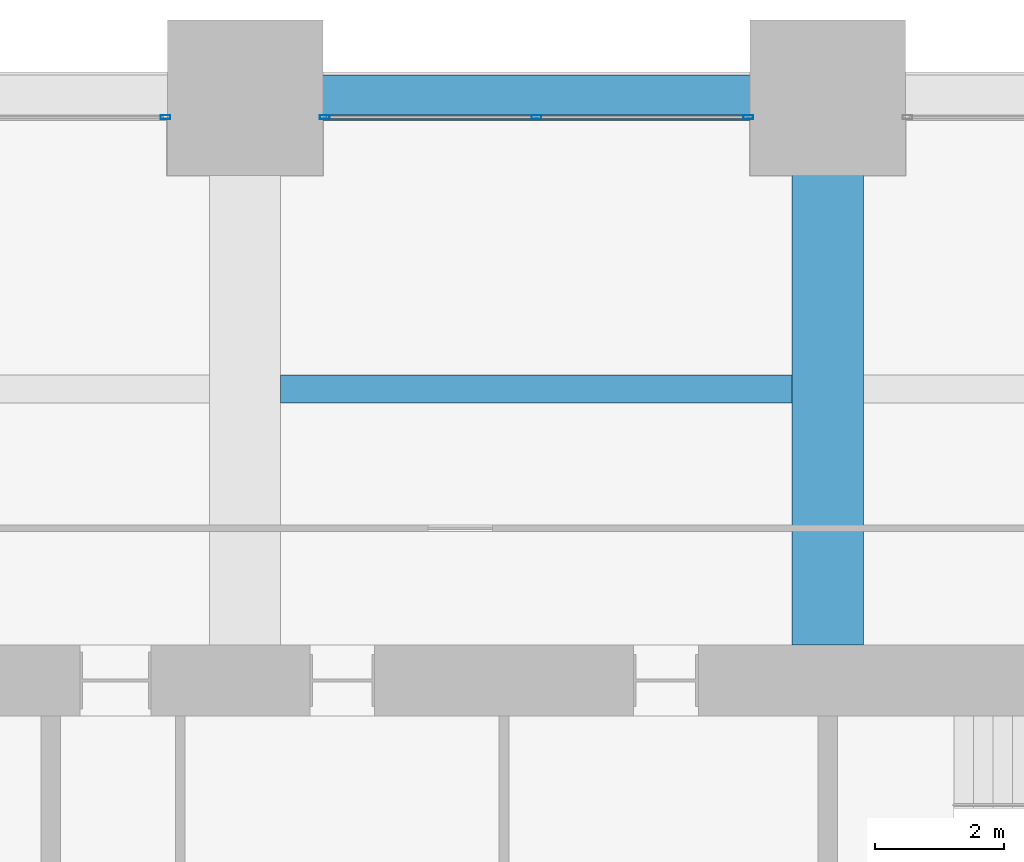
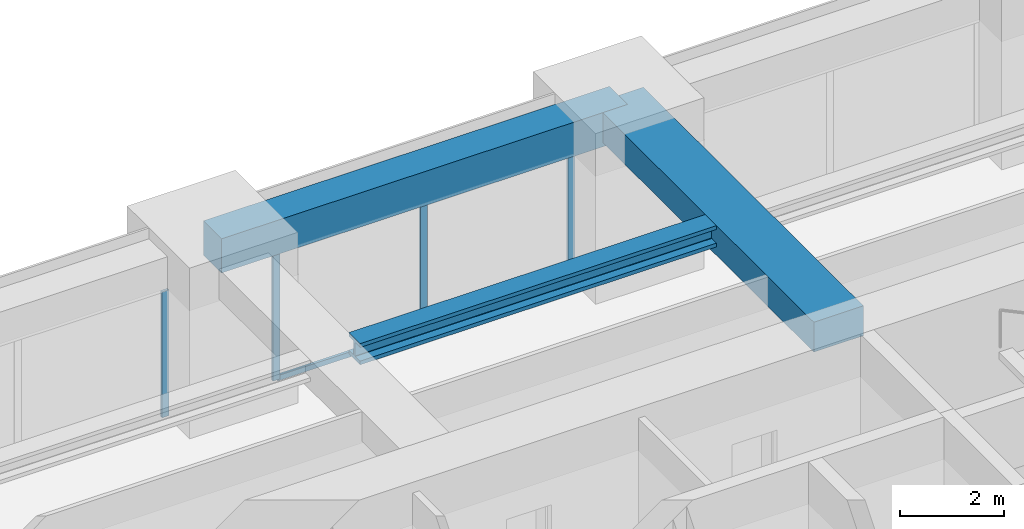
# One storey, part 25 of 32: 5 members, 3 beams, 2 elements without a shape of their own.
"""IFC4 building model written with IfcOpenShell, lengths in metres."""

import ifcopenshell
import ifcopenshell.guid

model = None  # the IFC model being written
_history = None  # IfcOwnerHistory: only IFC2X3 demands one
_inside = {}  # id of a spatial element -> (the spatial element, [elements in it])
_under = {}  # id of a project, library or spatial element -> (it, [spatial elements below it])
_declared = {}  # id of a project -> (the project, [libraries it declares])
_typed = {}  # id of a type object -> (the type object, [elements of that type])
_made_of = {}  # id of a material, layer set ... -> (it, [elements and type objects made of it])


def new_model(schema):
    """Start an empty IFC model of exactly this schema.

    Asked for "IFC4X3", IfcOpenShell would pick the latest addendum, in which some entities
    have other attributes; the version numbers below select the first issue.
    IFC2X3 requires an IfcOwnerHistory on every rooted entity: one is made here for all.
    """
    global model, _history
    if schema == "IFC4X3":
        model = ifcopenshell.file(schema_version=(4, 3, 0, 0))
    else:
        model = ifcopenshell.file(schema=schema)
    _inside.clear()
    _under.clear()
    _declared.clear()
    _typed.clear()
    _made_of.clear()
    _history = None
    if model.schema == "IFC2X3":
        org = make("IfcOrganization", Name="unknown")
        user = make(
            "IfcPersonAndOrganization",
            ThePerson=make("IfcPerson", FamilyName="unknown"),
            TheOrganization=org,
        )
        app = make(
            "IfcApplication",
            ApplicationDeveloper=org,
            Version="unknown",
            ApplicationFullName="unknown",
            ApplicationIdentifier="unknown",
        )
        _history = make(
            "IfcOwnerHistory",
            OwningUser=user,
            OwningApplication=app,
            ChangeAction="ADDED",
            CreationDate=0,
        )
    return model


def make(cls, **values):
    """One entity of the class cls with the attributes given. An attribute that is None is left unset."""
    return model.create_entity(
        cls, **{name: value for name, value in values.items() if value is not None}
    )


def rooted(cls, **values):
    """An entity with a GlobalId (a new one), such as an element, a storey or a relation."""
    return make(cls, GlobalId=ifcopenshell.guid.new(), OwnerHistory=_history, **values)


def si_unit(unit_type, name, prefix=None):
    """IfcSIUnit, for example si_unit("LENGTHUNIT", "METRE", prefix="MILLI")."""
    return make("IfcSIUnit", UnitType=unit_type, Prefix=prefix, Name=name)


def assignment(units):
    """IfcUnitAssignment: the units of a project."""
    return None if units is None else make("IfcUnitAssignment", Units=units)


def point(xyz):
    """IfcCartesianPoint."""
    return None if xyz is None else make("IfcCartesianPoint", Coordinates=xyz)


def direction(xyz):
    """IfcDirection."""
    return None if xyz is None else make("IfcDirection", DirectionRatios=xyz)


def frame(location, z_axis=None, x_axis=None):
    """IfcAxis2Placement3D, a coordinate frame: its origin and axes. An axis left out is left unset."""
    return make(
        "IfcAxis2Placement3D",
        Location=point(location),
        Axis=direction(z_axis),
        RefDirection=direction(x_axis),
    )


def frame_2d(location, x_axis=None):
    """IfcAxis2Placement2D, a coordinate frame in the plane: its origin and x axis."""
    return make(
        "IfcAxis2Placement2D", Location=point(location), RefDirection=direction(x_axis)
    )


def origin():
    """The frame at (0, 0, 0) with its axes left unset."""
    return frame((0.0, 0.0, 0.0))


def origin_2d():
    """The frame at (0, 0) in the plane with its x axis left unset."""
    return frame_2d((0.0, 0.0))


def place(relative_to, where):
    """IfcLocalPlacement: puts the frame where relative to a parent placement (None: the world)."""
    return make(
        "IfcLocalPlacement", PlacementRelTo=relative_to, RelativePlacement=where
    )


def context(
    kind, dimensions, precision=None, world=None, true_north=None, identifier=None
):
    """IfcGeometricRepresentationContext, for example the 3D "Model" context."""
    return make(
        "IfcGeometricRepresentationContext",
        ContextIdentifier=identifier,
        ContextType=kind,
        CoordinateSpaceDimension=dimensions,
        Precision=precision,
        WorldCoordinateSystem=world,
        TrueNorth=true_north,
    )


def subcontext(parent, identifier, kind, view, scale=None):
    """IfcGeometricRepresentationSubContext, for example "Body" below "Model"."""
    return make(
        "IfcGeometricRepresentationSubContext",
        ContextIdentifier=identifier,
        ContextType=kind,
        ParentContext=parent,
        TargetScale=scale,
        TargetView=view,
    )


def project(units=None, contexts=None):
    """IfcProject with its units and contexts."""
    return rooted(
        "IfcProject",
        Name="project",
        RepresentationContexts=contexts,
        UnitsInContext=assignment(units),
    )


def spatial(cls, under=None, at=None, **own):
    """A site, building, storey or space (cls), placed at a placement, below another one or the project."""
    s = rooted(cls, ObjectPlacement=at, **own)
    if under is not None:
        _under.setdefault(under.id(), (under, []))[1].append(s)
    return s


def profile(cls, at=None, kind="AREA", **sizes):
    """A parametric profile (cls). Its sizes go by their IFC names, for example OverallWidth=200.0."""
    return make(cls, ProfileType=kind, Position=at, **sizes)


def rectangle(**sizes):
    """IfcRectangleProfileDef."""
    return profile("IfcRectangleProfileDef", **sizes)


def hollow_rectangle(**sizes):
    """IfcRectangleHollowProfileDef."""
    return profile("IfcRectangleHollowProfileDef", **sizes)


def i_section(**sizes):
    """IfcIShapeProfileDef."""
    return profile("IfcIShapeProfileDef", **sizes)


def extrude(swept, where, along, depth):
    """IfcExtrudedAreaSolid: the profile swept, set in the frame where, extruded along a direction by depth."""
    return make(
        "IfcExtrudedAreaSolid",
        SweptArea=swept,
        Position=where,
        ExtrudedDirection=direction(along),
        Depth=depth,
    )


def shape(context_of_items, identifier, shape_type, items):
    """IfcShapeRepresentation: the items that make up one representation, for example the "Body"."""
    return make(
        "IfcShapeRepresentation",
        ContextOfItems=context_of_items,
        RepresentationIdentifier=identifier,
        RepresentationType=shape_type,
        Items=items,
    )


def material(Name=None, Category=None):
    """IfcMaterial."""
    return make("IfcMaterial", Name=Name, Category=Category)


def material_profile(
    of_material, cross_section, Name=None, Category=None, Priority=None
):
    """IfcMaterialProfile: a cross section and its material."""
    return make(
        "IfcMaterialProfile",
        Name=Name,
        Material=of_material,
        Profile=cross_section,
        Priority=Priority,
        Category=Category,
    )


def profile_set(profiles, Name=None, composite=None):
    """IfcMaterialProfileSet."""
    return make(
        "IfcMaterialProfileSet",
        Name=Name,
        MaterialProfiles=profiles,
        CompositeProfile=composite,
    )


def made_of(thing, what):
    """Note that an element or type object is made of a material, layer set ...; save() writes the relation."""
    if what is not None:
        _made_of.setdefault(what.id(), (what, []))[1].append(thing)
    return thing


def type_object(cls, material=None, **own):
    """A type object (cls), such as IfcWallType, which elements share."""
    return made_of(rooted(cls, **own), material)


def element(
    cls,
    number,
    at=None,
    inside=None,
    cuts=None,
    type_object=None,
    material=None,
    context=None,
    identifier="Body",
    shape_type=None,
    held_by="IfcProductDefinitionShape",
    body=None,
    shapes=None,
    **own,
):
    """One element of the class cls, such as IfcWall. Its Tag is "e" and its number.

    at: its placement. inside: the storey or other place that contains it. cuts: it is an
    opening in that element (IfcRelVoidsElement). A single representation is given by context,
    identifier, shape_type and body (its items); several are given by shapes. held_by: the class
    of the entity that holds the representations. save() writes the other relations.
    """
    e = rooted(cls, Tag="e%d" % number, ObjectPlacement=at, **own)
    if body is not None:
        shapes = [shape(context, identifier, shape_type, body)]
    if shapes is not None:
        e.Representation = make(held_by, Representations=shapes)
    if inside is not None:
        _inside.setdefault(inside.id(), (inside, []))[1].append(e)
    if cuts is not None:
        rooted(
            "IfcRelVoidsElement", RelatingBuildingElement=cuts, RelatedOpeningElement=e
        )
    if type_object is not None:
        _typed.setdefault(type_object.id(), (type_object, []))[1].append(e)
    return made_of(e, material)


def aggregate(whole, parts):
    """IfcRelAggregates: a whole, such as a stair, and the parts it consists of."""
    return rooted("IfcRelAggregates", RelatingObject=whole, RelatedObjects=parts)


def save(model, path):
    """Write the relations noted so far, then the file.

    IfcRelAggregates (storeys below a building ...), IfcRelContainedInSpatialStructure (elements
    in a storey), IfcRelDefinesByType, IfcRelAssociatesMaterial and IfcRelDeclares: one each for
    every whole, place, type object, material and project.
    """
    for whole, parts in _under.values():
        aggregate(whole, parts)
    for where, things in _inside.values():
        rooted(
            "IfcRelContainedInSpatialStructure",
            RelatedElements=things,
            RelatingStructure=where,
        )
    for kind, things in _typed.values():
        rooted("IfcRelDefinesByType", RelatedObjects=things, RelatingType=kind)
    for what, things in _made_of.values():
        rooted("IfcRelAssociatesMaterial", RelatedObjects=things, RelatingMaterial=what)
    for by, libraries in _declared.values():
        rooted("IfcRelDeclares", RelatingContext=by, RelatedDefinitions=libraries)
    model.write(path)


model = new_model("IFC4")

# Units and contexts
model_context = context("Model", 3, precision=1e-05, world=origin(), true_north=direction((0.0, 1.0)))
body_context = subcontext(model_context, "Body", "Model", "MODEL_VIEW")
ifc_project = project(units=[si_unit("LENGTHUNIT", "METRE"), si_unit("AREAUNIT", "SQUARE_METRE"), si_unit("VOLUMEUNIT", "CUBIC_METRE"), si_unit("PLANEANGLEUNIT", "RADIAN"), si_unit("MASSUNIT", "GRAM", prefix="KILO")], contexts=[model_context])

# Site, building, storey
site_placement = place(None, origin())
site = spatial("IfcSite", under=ifc_project, at=site_placement, CompositionType="ELEMENT")
building_placement = place(site_placement, origin())
building = spatial("IfcBuilding", under=site, at=building_placement, Name="Zorevar Civic Tower", CompositionType="ELEMENT")
storey_placement = place(building_placement, frame((0.0, 0.0, 182.199951171875)))
storey = spatial("IfcBuildingStorey", under=building, at=storey_placement, Name="L44", CompositionType="ELEMENT", Elevation=182.199951171875)

# Beam
ifc_material_1 = material(Name="Concrete C50/60", Category="concrete")
ifc_material_profile_1 = material_profile(ifc_material_1, rectangle(XDim=1.10009765625, YDim=0.699951171875, at=origin_2d()), Name="RC 1100x700")
ifc_profile_set_1 = profile_set([ifc_material_profile_1], Name="Concrete C50/60")
beam_type_1 = type_object("IfcBeamType", Name="Beam RC 1100x700", PredefinedType="BEAM", material=ifc_profile_set_1)
beam_1_placement = place(storey_placement, frame((36.0, 36.550048828125, 3.400146484375), z_axis=(0.0, 1.0, 0.0), x_axis=(-1.0, 0.0, 0.0)))
element("IfcBeam", 1, at=beam_1_placement, inside=storey, type_object=beam_type_1, Name="Girder L45", PredefinedType="BEAM", context=body_context, shape_type="SweptSolid", body=[
    extrude(rectangle(XDim=1.10009765625, YDim=0.699951171875, at=origin_2d()), origin(), (0.0, 0.0, 1.0), 8.449951171875),
])

# Curtain wall, member
ifc_material_2 = material(Name="Dark grey solar-control glass in black aluminium frame", Category="aluminium")
curtain_wall_type = type_object("IfcCurtainWallType", Name="Curtain wall CW4 high zone", PredefinedType="NOTDEFINED", material=ifc_material_2)
curtain_wall_1_placement = place(storey_placement, origin())
curtain_wall_1 = element("IfcCurtainWall", 2, at=curtain_wall_1_placement, inside=storey, type_object=curtain_wall_type, Name="CW4 L44", PredefinedType="NOTDEFINED")
ifc_material_3 = material(Name="Aluminium, black anodised", Category="aluminium")
ifc_material_profile_2 = material_profile(ifc_material_3, hollow_rectangle(XDim=0.06005859375, YDim=0.14990234375, WallThickness=0.00390625, at=origin_2d()), Name="AL 150x60x4")
ifc_profile_set_2 = profile_set([ifc_material_profile_2], Name="Aluminium, black anodised")
member_type_1 = type_object("IfcMemberType", Name="CW4 mullion AL 150x60x4", PredefinedType="MULLION", material=ifc_profile_set_2)
member_1_placement = place(storey_placement, frame((25.77001953125, 44.699951171875, 0.0), z_axis=(0.0, 0.0, 1.0), x_axis=(0.0, 1.0, 0.0)))
member_1 = element("IfcMember", 3, at=member_1_placement, type_object=member_type_1, Name="CW4 mullion 3", PredefinedType="MULLION", context=body_context, shape_type="SweptSolid", body=[
    extrude(hollow_rectangle(XDim=0.06005859375, YDim=0.14990234375, WallThickness=0.00390625, at=origin_2d()), origin(), (0.0, 0.0, 1.0), 2.949951171875),
])
aggregate(curtain_wall_1, [member_1])

# Curtain wall, members
curtain_wall_2_placement = place(storey_placement, origin())
curtain_wall_2 = element("IfcCurtainWall", 4, at=curtain_wall_2_placement, inside=storey, type_object=curtain_wall_type, Name="CW4 L44", PredefinedType="NOTDEFINED")
member_2_placement = place(storey_placement, frame((28.22998046875, 44.699951171875, 0.0), z_axis=(0.0, 0.0, 1.0), x_axis=(0.0, 1.0, 0.0)))
member_2 = element("IfcMember", 5, at=member_2_placement, type_object=member_type_1, Name="CW4 mullion 1", PredefinedType="MULLION", context=body_context, shape_type="SweptSolid", body=[
    extrude(hollow_rectangle(XDim=0.06005859375, YDim=0.14990234375, WallThickness=0.00390625, at=origin_2d()), origin(), (0.0, 0.0, 1.0), 2.949951171875),
])
member_3_placement = place(storey_placement, frame((31.5, 44.699951171875, 0.06005859375), z_axis=(0.0, 0.0, 1.0), x_axis=(0.0, 1.0, 0.0)))
member_3 = element("IfcMember", 6, at=member_3_placement, type_object=member_type_1, Name="CW4 mullion 2", PredefinedType="MULLION", context=body_context, shape_type="SweptSolid", body=[
    extrude(hollow_rectangle(XDim=0.06005859375, YDim=0.14990234375, WallThickness=0.00390625, at=origin_2d()), origin(), (0.0, 0.0, 1.0), 2.889892578125),
])
member_4_placement = place(storey_placement, frame((34.77001953125, 44.699951171875, 0.0), z_axis=(0.0, 0.0, 1.0), x_axis=(0.0, 1.0, 0.0)))
member_4 = element("IfcMember", 7, at=member_4_placement, type_object=member_type_1, Name="CW4 mullion 3", PredefinedType="MULLION", context=body_context, shape_type="SweptSolid", body=[
    extrude(hollow_rectangle(XDim=0.06005859375, YDim=0.14990234375, WallThickness=0.00390625, at=origin_2d()), origin(), (0.0, 0.0, 1.0), 2.949951171875),
])
ifc_material_4 = material(Name="Aluminium, black anodised", Category="aluminium")
ifc_material_profile_3 = material_profile(ifc_material_4, hollow_rectangle(XDim=0.06005859375, YDim=0.1201171875, WallThickness=0.0029296875, at=origin_2d()), Name="AL 120x60x3")
ifc_profile_set_3 = profile_set([ifc_material_profile_3], Name="Aluminium, black anodised")
member_type_2 = type_object("IfcMemberType", Name="CW4 transom AL 120x60x3", PredefinedType="USERDEFINED", material=ifc_profile_set_3)
member_5_placement = place(storey_placement, frame((28.260009765625, 44.699951171875, 0.030029296875), z_axis=(1.0, 0.0, 0.0), x_axis=(0.0, 1.0, 0.0)))
member_5 = element("IfcMember", 8, at=member_5_placement, type_object=member_type_2, Name="CW4 sill transom", ObjectType="TRANSOM", PredefinedType="USERDEFINED", context=body_context, shape_type="SweptSolid", body=[
    extrude(hollow_rectangle(XDim=0.06005859375, YDim=0.1201171875, WallThickness=0.0029296875, at=origin_2d()), origin(), (0.0, 0.0, 1.0), 6.47998046875),
])
aggregate(curtain_wall_2, [member_2, member_3, member_4, member_5])

# Beams
ifc_material_5 = material(Name="Steel S460M (HISTAR 460)", Category="steel")
ifc_material_profile_4 = material_profile(ifc_material_5, i_section(OverallWidth=0.431884765625, OverallDepth=0.498046875, WebThickness=0.0556640625, FlangeThickness=0.0888671875, FilletRadius=0.014892578125, at=origin_2d()), Name="HD 400x744")
ifc_profile_set_4 = profile_set([ifc_material_profile_4], Name="Steel S460M (HISTAR 460)")
beam_type_2 = type_object("IfcBeamType", Name="Core bay beam HD 400x744", PredefinedType="BEAM", material=ifc_profile_set_4)
beam_2_placement = place(storey_placement, frame((27.550048828125, 40.5, 3.5009765625), z_axis=(1.0, 0.0, 0.0), x_axis=(0.0, 1.0, 0.0)))
element("IfcBeam", 9, at=beam_2_placement, inside=storey, type_object=beam_type_2, Name="Secondary beam L45", PredefinedType="BEAM", context=body_context, shape_type="SweptSolid", body=[
    extrude(i_section(OverallWidth=0.431884765625, OverallDepth=0.498046875, WebThickness=0.0556640625, FlangeThickness=0.0888671875, FilletRadius=0.014892578125, at=origin_2d()), origin(), (0.0, 0.0, 1.0), 7.89990234375),
])
ifc_material_6 = material(Name="Concrete C50/60", Category="concrete")
ifc_material_profile_5 = material_profile(ifc_material_6, rectangle(XDim=0.699951171875, YDim=0.800048828125, at=origin_2d()), Name="RC 700x800")
ifc_profile_set_5 = profile_set([ifc_material_profile_5], Name="Concrete C50/60")
beam_type_3 = type_object("IfcBeamType", Name="Edge beam RC 700x800", PredefinedType="SPANDREL", material=ifc_profile_set_5)
beam_3_placement = place(storey_placement, frame((27.0, 45.0, 3.35009765625), z_axis=(1.0, 0.0, 0.0), x_axis=(0.0, 1.0, 0.0)))
element("IfcBeam", 10, at=beam_3_placement, inside=storey, type_object=beam_type_3, Name="Edge beam L45", PredefinedType="SPANDREL", context=body_context, shape_type="SweptSolid", body=[
    extrude(rectangle(XDim=0.699951171875, YDim=0.800048828125, at=origin_2d()), origin(), (0.0, 0.0, 1.0), 9.0),
])

save(model, "model.ifc")
